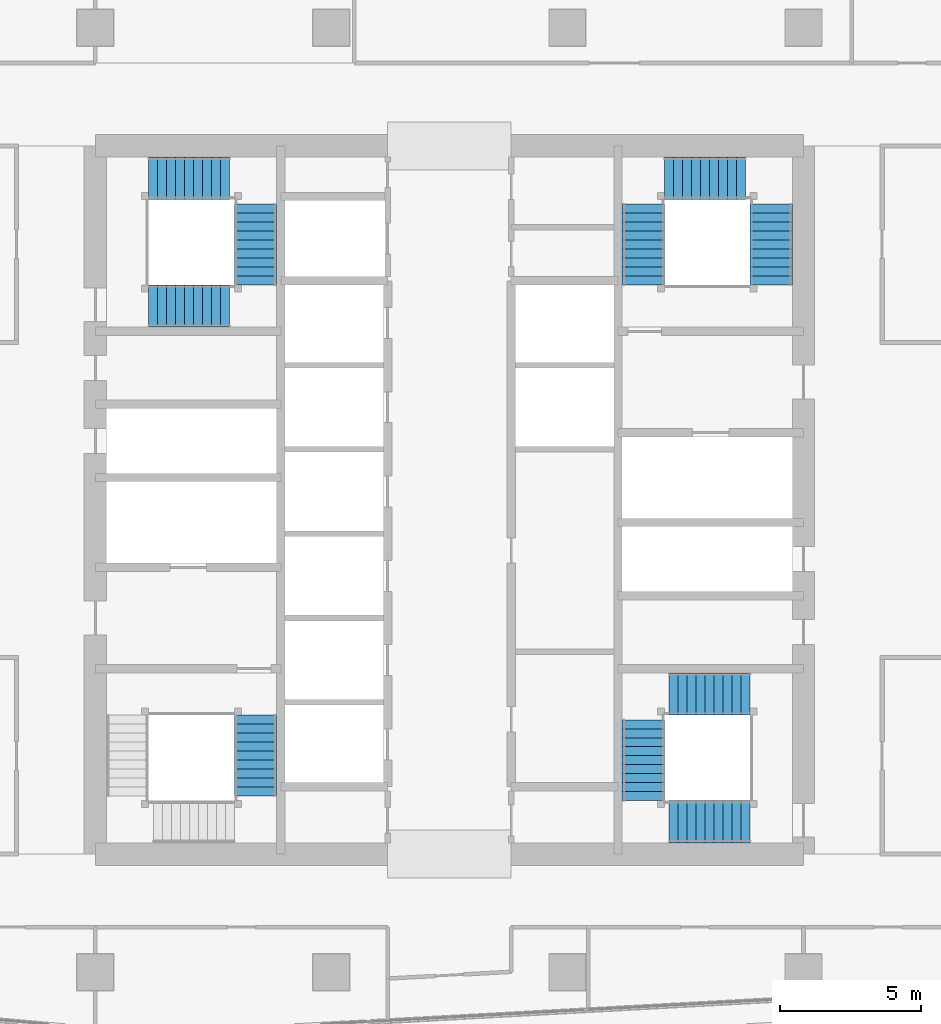
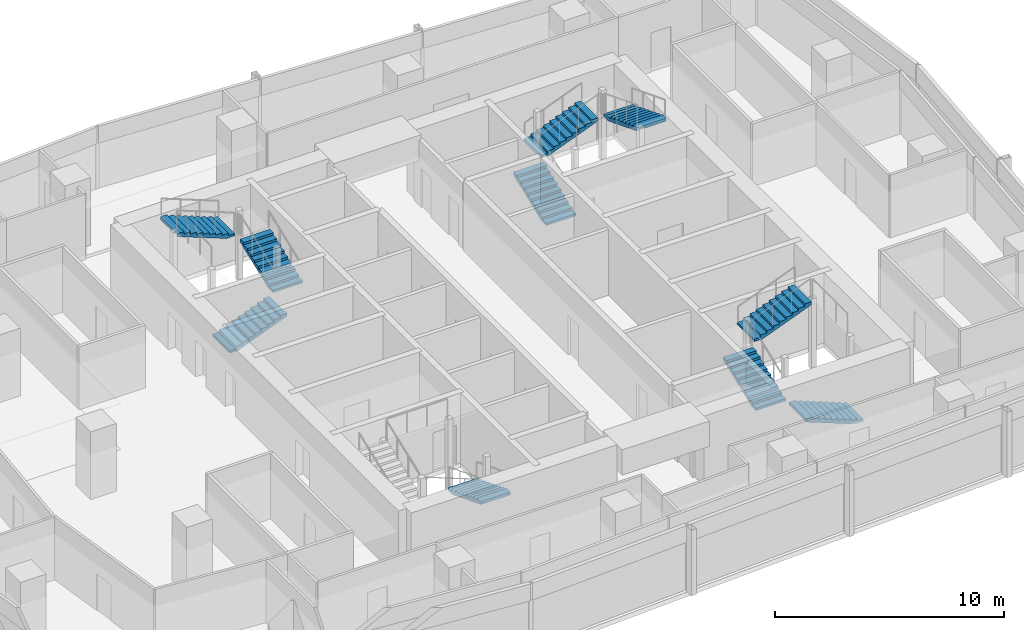
# One storey, part 25 of 29: 10 stair flights, 4 elements without a shape of their own.
"""IFC4 building model written with IfcOpenShell, lengths in metres."""

from ifc_helpers import new_model, si_unit, direction, frame, origin, place, context, subcontext, project, spatial, polyline, outline, extrude, material, type_object, element, aggregate, save


model = new_model("IFC4")

# Units and contexts
model_context = context("Model", 3, precision=1e-05, world=origin(), true_north=direction((0.0, 1.0)))
body_context = subcontext(model_context, "Body", "Model", "MODEL_VIEW")
ifc_project = project(units=[si_unit("LENGTHUNIT", "METRE"), si_unit("AREAUNIT", "SQUARE_METRE"), si_unit("VOLUMEUNIT", "CUBIC_METRE"), si_unit("PLANEANGLEUNIT", "RADIAN"), si_unit("MASSUNIT", "GRAM", prefix="KILO")], contexts=[model_context])

# Site, building, storey
site_placement = place(None, origin())
site = spatial("IfcSite", under=ifc_project, at=site_placement, CompositionType="ELEMENT")
building_placement = place(site_placement, origin())
building = spatial("IfcBuilding", under=site, at=building_placement, Name="Rekha Terrace Tower", CompositionType="ELEMENT")
storey_placement = place(building_placement, frame((0.0, 0.0, 280.10009765625)))
storey = spatial("IfcBuildingStorey", under=building, at=storey_placement, Name="L71", CompositionType="ELEMENT", Elevation=280.10009765625)

# Stair, stair flight
ifc_material = material(Name="Concrete M40", Category="concrete")
stair_type = type_object("IfcStairType", Name="ST30 stair, 30 risers of 125, going 320, 1500 wide flights, 3 flights", PredefinedType="HALF_TURN_STAIR", material=ifc_material)
stair_1_placement = place(storey_placement, origin())
stair_1 = element("IfcStair", 1, at=stair_1_placement, inside=storey, type_object=stair_type, Name="Stair ST1 L71 to L72", PredefinedType="HALF_TURN_STAIR")
stair_flight_type = type_object("IfcStairFlightType", Name="SF10 stair flight, 10 risers of 125, going 320, 1500 wide", PredefinedType="STRAIGHT", material=ifc_material)
stair_flight_1_placement = place(storey_placement, frame((30.89990234375, 25.949951171875, 0.0), z_axis=(0.0, 0.0, 1.0), x_axis=(0.0, -1.0, 0.0)))
stair_flight_1 = element("IfcStairFlight", 2, at=stair_flight_1_placement, type_object=stair_flight_type, Name="ST1 flight 1", NumberOfRisers=10, NumberOfTreads=9, PredefinedType="STRAIGHT", RiserHeight=0.125, TreadLength=0.32, context=body_context, shape_type="SweptSolid", body=[
    extrude(outline(polyline([(0.0, 0.0), (0.0, 0.125), (0.320068359375, 0.125), (0.320068359375, 0.25), (0.639892578125, 0.25), (0.639892578125, 0.375), (0.9599609375, 0.375), (0.9599609375, 0.5), (1.280029296875, 0.5), (1.280029296875, 0.625), (1.60009765625, 0.625), (1.60009765625, 0.75), (1.919921875, 0.75), (1.919921875, 0.875), (2.239990234375, 0.875), (2.239990234375, 1.0), (2.56005859375, 1.0), (2.56005859375, 1.125), (2.8798828125, 1.125), (2.8798828125, 1.25), (2.8798828125, 0.964111328125), (0.412109375, 0.0), (0.0, 0.0)])), frame((0.0, 0.75, 0.0), z_axis=(0.0, -1.0, 0.0), x_axis=(1.0, 0.0, 0.0)), (0.0, 0.0, 1.0), 1.5),
])
aggregate(stair_1, [stair_flight_1])

# Stair, stair flights
stair_2_placement = place(storey_placement, origin())
stair_2 = element("IfcStair", 3, at=stair_2_placement, inside=storey, type_object=stair_type, Name="Stair ST2 L71 to L72", PredefinedType="HALF_TURN_STAIR")
stair_flight_2_placement = place(storey_placement, frame((44.699951171875, 41.25, 0.0), z_axis=(0.0, 0.0, 1.0), x_axis=(0.0, 1.0, 0.0)))
stair_flight_2 = element("IfcStairFlight", 4, at=stair_flight_2_placement, type_object=stair_flight_type, Name="ST2 flight 1", NumberOfRisers=10, NumberOfTreads=9, PredefinedType="STRAIGHT", RiserHeight=0.125, TreadLength=0.32, context=body_context, shape_type="SweptSolid", body=[
    extrude(outline(polyline([(0.0, 0.0), (0.0, 0.125), (0.320068359375, 0.125), (0.320068359375, 0.25), (0.639892578125, 0.25), (0.639892578125, 0.375), (0.9599609375, 0.375), (0.9599609375, 0.5), (1.280029296875, 0.5), (1.280029296875, 0.625), (1.60009765625, 0.625), (1.60009765625, 0.75), (1.919921875, 0.75), (1.919921875, 0.875), (2.239990234375, 0.875), (2.239990234375, 1.0), (2.56005859375, 1.0), (2.56005859375, 1.125), (2.8798828125, 1.125), (2.8798828125, 1.25), (2.8798828125, 0.964111328125), (0.412109375, 0.0), (0.0, 0.0)])), frame((0.0, 0.75, 0.0), z_axis=(0.0, -1.0, 0.0), x_axis=(1.0, 0.0, 0.0)), (0.0, 0.0, 1.0), 1.5),
])
stair_flight_3_placement = place(storey_placement, frame((45.449951171875, 45.050048828125, 1.25), z_axis=(0.0, 0.0, 1.0), x_axis=(1.0, 0.0, 0.0)))
stair_flight_3 = element("IfcStairFlight", 5, at=stair_flight_3_placement, type_object=stair_flight_type, Name="ST2 flight 2", NumberOfRisers=10, NumberOfTreads=9, PredefinedType="STRAIGHT", RiserHeight=0.125, TreadLength=0.32, context=body_context, shape_type="SweptSolid", body=[
    extrude(outline(polyline([(0.0, 0.0), (0.0, 0.125), (0.320068359375, 0.125), (0.320068359375, 0.25), (0.639892578125, 0.25), (0.639892578125, 0.375), (0.9599609375, 0.375), (0.9599609375, 0.5), (1.280029296875, 0.5), (1.280029296875, 0.625), (1.60009765625, 0.625), (1.60009765625, 0.75), (1.919921875, 0.75), (1.919921875, 0.875), (2.239990234375, 0.875), (2.239990234375, 1.0), (2.56005859375, 1.0), (2.56005859375, 1.125), (2.8798828125, 1.125), (2.8798828125, 1.25), (2.8798828125, 0.964111328125), (0.412109375, 0.0), (0.0, 0.0)])), frame((0.0, 0.75, 0.0), z_axis=(0.0, -1.0, 0.0), x_axis=(1.0, 0.0, 0.0)), (0.0, 0.0, 1.0), 1.5),
])
stair_flight_4_placement = place(storey_placement, frame((49.25, 44.1298828125, 2.5), z_axis=(0.0, 0.0, 1.0), x_axis=(0.0, -1.0, 0.0)))
stair_flight_4 = element("IfcStairFlight", 6, at=stair_flight_4_placement, type_object=stair_flight_type, Name="ST2 flight 3", NumberOfRisers=10, NumberOfTreads=9, PredefinedType="STRAIGHT", RiserHeight=0.125, TreadLength=0.32, context=body_context, shape_type="SweptSolid", body=[
    extrude(outline(polyline([(0.0, 0.0), (0.0, 0.125), (0.320068359375, 0.125), (0.320068359375, 0.25), (0.639892578125, 0.25), (0.639892578125, 0.375), (0.9599609375, 0.375), (0.9599609375, 0.5), (1.280029296875, 0.5), (1.280029296875, 0.625), (1.60009765625, 0.625), (1.60009765625, 0.75), (1.919921875, 0.75), (1.919921875, 0.875), (2.239990234375, 0.875), (2.239990234375, 1.0), (2.56005859375, 1.0), (2.56005859375, 1.125), (2.8798828125, 1.125), (2.8798828125, 1.25), (2.8798828125, 0.964111328125), (0.412109375, 0.0), (0.0, 0.0)])), frame((0.0, 0.75, 0.0), z_axis=(0.0, -1.0, 0.0), x_axis=(1.0, 0.0, 0.0)), (0.0, 0.0, 1.0), 1.5),
])
aggregate(stair_2, [stair_flight_2, stair_flight_3, stair_flight_4])

stair_3_placement = place(storey_placement, origin())
stair_3 = element("IfcStair", 7, at=stair_3_placement, inside=storey, type_object=stair_type, Name="Stair ST3 L71 to L72", PredefinedType="HALF_TURN_STAIR")
stair_flight_5_placement = place(storey_placement, frame((48.5, 22.14990234375, 0.0), z_axis=(0.0, 0.0, 1.0), x_axis=(-1.0, 0.0, 0.0)))
stair_flight_5 = element("IfcStairFlight", 8, at=stair_flight_5_placement, type_object=stair_flight_type, Name="ST3 flight 1", NumberOfRisers=10, NumberOfTreads=9, PredefinedType="STRAIGHT", RiserHeight=0.125, TreadLength=0.32, context=body_context, shape_type="SweptSolid", body=[
    extrude(outline(polyline([(0.0, 0.0), (0.0, 0.125), (0.320068359375, 0.125), (0.320068359375, 0.25), (0.639892578125, 0.25), (0.639892578125, 0.375), (0.9599609375, 0.375), (0.9599609375, 0.5), (1.280029296875, 0.5), (1.280029296875, 0.625), (1.60009765625, 0.625), (1.60009765625, 0.75), (1.919921875, 0.75), (1.919921875, 0.875), (2.239990234375, 0.875), (2.239990234375, 1.0), (2.56005859375, 1.0), (2.56005859375, 1.125), (2.8798828125, 1.125), (2.8798828125, 1.25), (2.8798828125, 0.964111328125), (0.412109375, 0.0), (0.0, 0.0)])), frame((0.0, 0.75, 0.0), z_axis=(0.0, -1.0, 0.0), x_axis=(1.0, 0.0, 0.0)), (0.0, 0.0, 1.0), 1.5),
])
stair_flight_6_placement = place(storey_placement, frame((44.699951171875, 22.89990234375, 1.25), z_axis=(0.0, 0.0, 1.0), x_axis=(0.0, 1.0, 0.0)))
stair_flight_6 = element("IfcStairFlight", 9, at=stair_flight_6_placement, type_object=stair_flight_type, Name="ST3 flight 2", NumberOfRisers=10, NumberOfTreads=9, PredefinedType="STRAIGHT", RiserHeight=0.125, TreadLength=0.32, context=body_context, shape_type="SweptSolid", body=[
    extrude(outline(polyline([(0.0, 0.0), (0.0, 0.125), (0.320068359375, 0.125), (0.320068359375, 0.25), (0.639892578125, 0.25), (0.639892578125, 0.375), (0.9599609375, 0.375), (0.9599609375, 0.5), (1.280029296875, 0.5), (1.280029296875, 0.625), (1.60009765625, 0.625), (1.60009765625, 0.75), (1.919921875, 0.75), (1.919921875, 0.875), (2.239990234375, 0.875), (2.239990234375, 1.0), (2.56005859375, 1.0), (2.56005859375, 1.125), (2.8798828125, 1.125), (2.8798828125, 1.25), (2.8798828125, 0.964111328125), (0.412109375, 0.0), (0.0, 0.0)])), frame((0.0, 0.75, 0.0), z_axis=(0.0, -1.0, 0.0), x_axis=(1.0, 0.0, 0.0)), (0.0, 0.0, 1.0), 1.5),
])
stair_flight_7_placement = place(storey_placement, frame((45.6201171875, 26.699951171875, 2.5), z_axis=(0.0, 0.0, 1.0), x_axis=(1.0, 0.0, 0.0)))
stair_flight_7 = element("IfcStairFlight", 10, at=stair_flight_7_placement, type_object=stair_flight_type, Name="ST3 flight 3", NumberOfRisers=10, NumberOfTreads=9, PredefinedType="STRAIGHT", RiserHeight=0.125, TreadLength=0.32, context=body_context, shape_type="SweptSolid", body=[
    extrude(outline(polyline([(0.0, 0.0), (0.0, 0.125), (0.320068359375, 0.125), (0.320068359375, 0.25), (0.639892578125, 0.25), (0.639892578125, 0.375), (0.9599609375, 0.375), (0.9599609375, 0.5), (1.280029296875, 0.5), (1.280029296875, 0.625), (1.60009765625, 0.625), (1.60009765625, 0.75), (1.919921875, 0.75), (1.919921875, 0.875), (2.239990234375, 0.875), (2.239990234375, 1.0), (2.56005859375, 1.0), (2.56005859375, 1.125), (2.8798828125, 1.125), (2.8798828125, 1.25), (2.8798828125, 0.964111328125), (0.412109375, 0.0), (0.0, 0.0)])), frame((0.0, 0.75, 0.0), z_axis=(0.0, -1.0, 0.0), x_axis=(1.0, 0.0, 0.0)), (0.0, 0.0, 1.0), 1.5),
])
aggregate(stair_3, [stair_flight_5, stair_flight_6, stair_flight_7])

stair_4_placement = place(storey_placement, origin())
stair_4 = element("IfcStair", 11, at=stair_4_placement, inside=storey, type_object=stair_type, Name="Stair ST4 L71 to L72", PredefinedType="HALF_TURN_STAIR")
stair_flight_8_placement = place(storey_placement, frame((27.10009765625, 40.5, 0.0), z_axis=(0.0, 0.0, 1.0), x_axis=(1.0, 0.0, 0.0)))
stair_flight_8 = element("IfcStairFlight", 12, at=stair_flight_8_placement, type_object=stair_flight_type, Name="ST4 flight 1", NumberOfRisers=10, NumberOfTreads=9, PredefinedType="STRAIGHT", RiserHeight=0.125, TreadLength=0.32, context=body_context, shape_type="SweptSolid", body=[
    extrude(outline(polyline([(0.0, 0.0), (0.0, 0.125), (0.320068359375, 0.125), (0.320068359375, 0.25), (0.639892578125, 0.25), (0.639892578125, 0.375), (0.9599609375, 0.375), (0.9599609375, 0.5), (1.280029296875, 0.5), (1.280029296875, 0.625), (1.60009765625, 0.625), (1.60009765625, 0.75), (1.919921875, 0.75), (1.919921875, 0.875), (2.239990234375, 0.875), (2.239990234375, 1.0), (2.56005859375, 1.0), (2.56005859375, 1.125), (2.8798828125, 1.125), (2.8798828125, 1.25), (2.8798828125, 0.964111328125), (0.412109375, 0.0), (0.0, 0.0)])), frame((0.0, 0.75, 0.0), z_axis=(0.0, -1.0, 0.0), x_axis=(1.0, 0.0, 0.0)), (0.0, 0.0, 1.0), 1.5),
])
stair_flight_9_placement = place(storey_placement, frame((30.89990234375, 41.25, 1.25), z_axis=(0.0, 0.0, 1.0), x_axis=(0.0, 1.0, 0.0)))
stair_flight_9 = element("IfcStairFlight", 13, at=stair_flight_9_placement, type_object=stair_flight_type, Name="ST4 flight 2", NumberOfRisers=10, NumberOfTreads=9, PredefinedType="STRAIGHT", RiserHeight=0.125, TreadLength=0.32, context=body_context, shape_type="SweptSolid", body=[
    extrude(outline(polyline([(0.0, 0.0), (0.0, 0.125), (0.320068359375, 0.125), (0.320068359375, 0.25), (0.639892578125, 0.25), (0.639892578125, 0.375), (0.9599609375, 0.375), (0.9599609375, 0.5), (1.280029296875, 0.5), (1.280029296875, 0.625), (1.60009765625, 0.625), (1.60009765625, 0.75), (1.919921875, 0.75), (1.919921875, 0.875), (2.239990234375, 0.875), (2.239990234375, 1.0), (2.56005859375, 1.0), (2.56005859375, 1.125), (2.8798828125, 1.125), (2.8798828125, 1.25), (2.8798828125, 0.964111328125), (0.412109375, 0.0), (0.0, 0.0)])), frame((0.0, 0.75, 0.0), z_axis=(0.0, -1.0, 0.0), x_axis=(1.0, 0.0, 0.0)), (0.0, 0.0, 1.0), 1.5),
])
stair_flight_10_placement = place(storey_placement, frame((29.97998046875, 45.050048828125, 2.5), z_axis=(0.0, 0.0, 1.0), x_axis=(-1.0, 0.0, 0.0)))
stair_flight_10 = element("IfcStairFlight", 14, at=stair_flight_10_placement, type_object=stair_flight_type, Name="ST4 flight 3", NumberOfRisers=10, NumberOfTreads=9, PredefinedType="STRAIGHT", RiserHeight=0.125, TreadLength=0.32, context=body_context, shape_type="SweptSolid", body=[
    extrude(outline(polyline([(0.0, 0.0), (0.0, 0.125), (0.320068359375, 0.125), (0.320068359375, 0.25), (0.639892578125, 0.25), (0.639892578125, 0.375), (0.9599609375, 0.375), (0.9599609375, 0.5), (1.280029296875, 0.5), (1.280029296875, 0.625), (1.60009765625, 0.625), (1.60009765625, 0.75), (1.919921875, 0.75), (1.919921875, 0.875), (2.239990234375, 0.875), (2.239990234375, 1.0), (2.56005859375, 1.0), (2.56005859375, 1.125), (2.8798828125, 1.125), (2.8798828125, 1.25), (2.8798828125, 0.964111328125), (0.412109375, 0.0), (0.0, 0.0)])), frame((0.0, 0.75, 0.0), z_axis=(0.0, -1.0, 0.0), x_axis=(1.0, 0.0, 0.0)), (0.0, 0.0, 1.0), 1.5),
])
aggregate(stair_4, [stair_flight_8, stair_flight_9, stair_flight_10])

save(model, "model.ifc")
